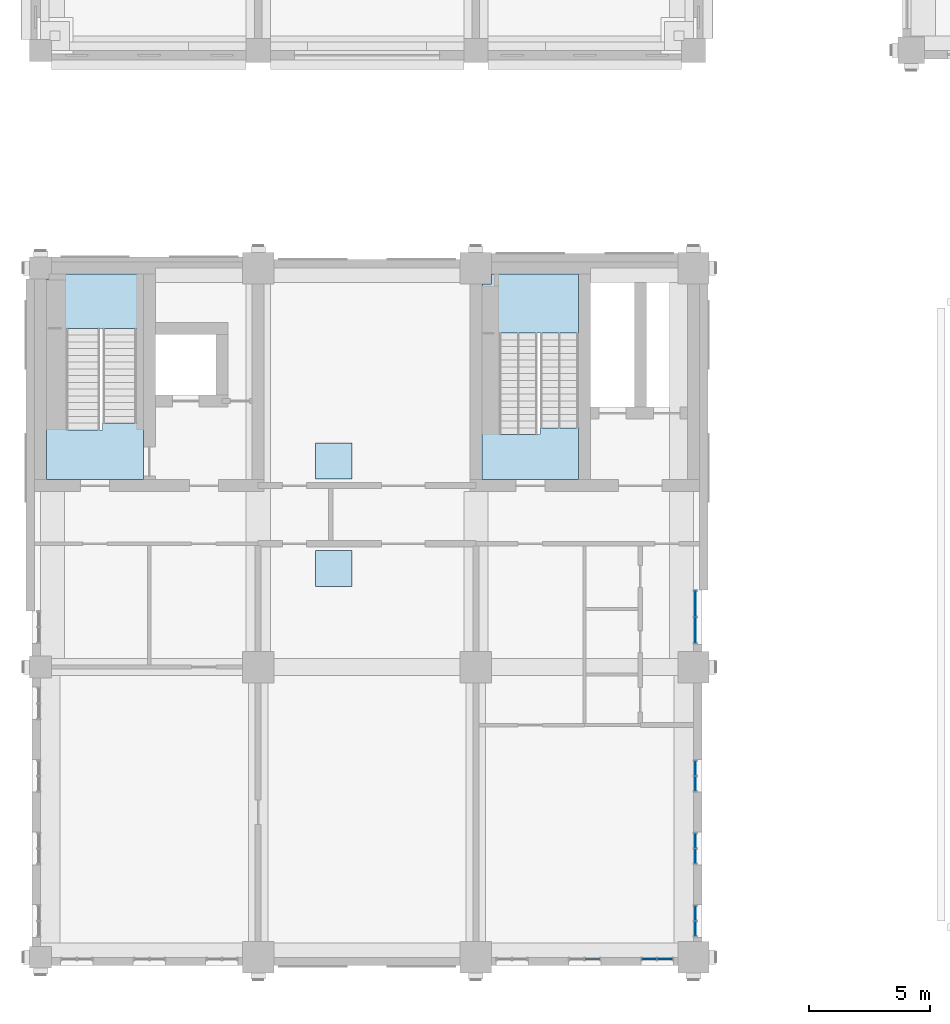
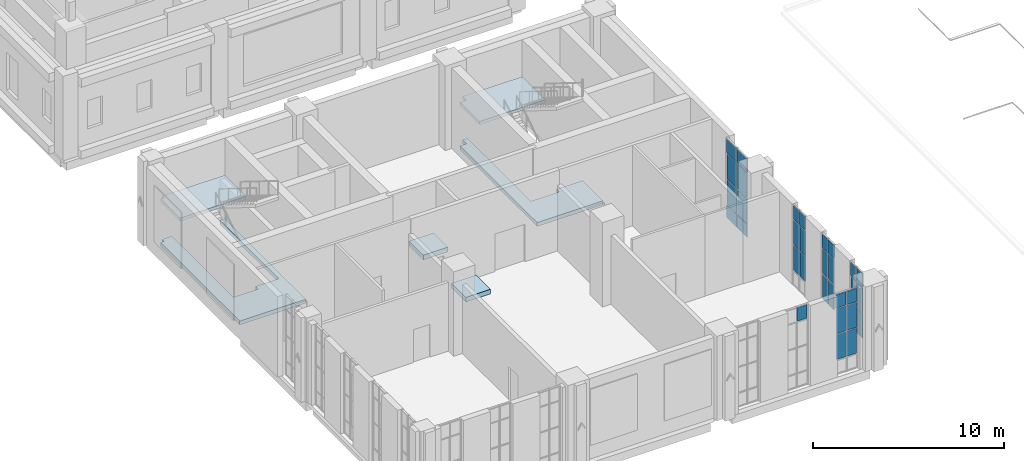
# One storey, part 13 of 37: 33 plates, 6 slabs, 8 elements without a shape of their own.
"""IFC4 building model written with IfcOpenShell, lengths in metres."""

from ifc_helpers import new_model, si_unit, direction, frame, origin, origin_2d, place, context, subcontext, project, spatial, polyline, rectangle, outline, extrude, material, layer, layer_set, type_object, element, aggregate, save


model = new_model("IFC4")

# Units and contexts
model_context = context("Model", 3, precision=1e-05, world=origin(), true_north=direction((0.0, 1.0)))
body_context = subcontext(model_context, "Body", "Model", "MODEL_VIEW")
ifc_project = project(units=[si_unit("LENGTHUNIT", "METRE"), si_unit("AREAUNIT", "SQUARE_METRE"), si_unit("VOLUMEUNIT", "CUBIC_METRE"), si_unit("PLANEANGLEUNIT", "RADIAN"), si_unit("MASSUNIT", "GRAM", prefix="KILO")], contexts=[model_context])

# Site, building, storey
site_placement = place(None, origin())
site = spatial("IfcSite", under=ifc_project, at=site_placement, CompositionType="ELEMENT")
building_placement = place(site_placement, origin())
building = spatial("IfcBuilding", under=site, at=building_placement, Name="Aurelan Courthouse", CompositionType="ELEMENT")
storey_placement = place(building_placement, frame((0.0, 0.0, 17.39990234375)))
storey = spatial("IfcBuildingStorey", under=building, at=storey_placement, Name="L03", CompositionType="ELEMENT", Elevation=17.39990234375)

# Curtain wall, plate
ifc_material_1 = material(Name="Bronze-finished aluminium and glass", Category="aluminium")
ifc_layer_1 = layer(ifc_material_1, 0.14990234375)
ifc_layer_set_1 = layer_set([ifc_layer_1], Name="Bronze-finished aluminium and glass")
curtain_wall_type_1 = type_object("IfcCurtainWallType", Name="Curtain wall 1350 x 5150", PredefinedType="NOTDEFINED", material=ifc_layer_set_1)
curtain_wall_1_placement = place(storey_placement, origin())
curtain_wall_1 = element("IfcCurtainWall", 1, at=curtain_wall_1_placement, inside=storey, type_object=curtain_wall_type_1, Name="Curtain wall CW-V5-L03-S05", PredefinedType="NOTDEFINED")
ifc_material_2 = material(Name="Limestone cladding", Category="masonry")
ifc_layer_2 = layer(ifc_material_2, 0.0400390625, Name="Facing")
ifc_material_3 = material(Name="Bronze sheet cladding", Category="bronze")
ifc_layer_3 = layer(ifc_material_3, 0.02001953125, Name="Back sheet")
ifc_layer_set_2 = layer_set([ifc_layer_2, ifc_layer_3], Name="Limestone cladding")
plate_type_1 = type_object("IfcPlateType", Name="Limestone spandrel panel with bronze back sheet 60", PredefinedType="CURTAIN_PANEL", material=ifc_layer_set_2)
plate_1_placement = place(storey_placement, frame((22.822509765625, -0.074951171875, 4.22998046875), z_axis=(0.0, 0.0, 1.0), x_axis=(1.0, 0.0, 0.0)))
plate_1 = element("IfcPlate", 2, at=plate_1_placement, type_object=plate_type_1, Name="CW-V5-L03-S05 spandrel panel 2.4", PredefinedType="CURTAIN_PANEL", context=body_context, shape_type="SweptSolid", body=[
    extrude(rectangle(XDim=0.5849609375, YDim=0.06005859375, at=origin_2d()), origin(), (0.0, 0.0, 1.0), 0.860107421875),
])
aggregate(curtain_wall_1, [plate_1])

# Curtain wall, plates
curtain_wall_2_placement = place(storey_placement, origin())
curtain_wall_2 = element("IfcCurtainWall", 3, at=curtain_wall_2_placement, inside=storey, type_object=curtain_wall_type_1, Name="Curtain wall CW-V5-L03-S06", PredefinedType="NOTDEFINED")
plate_2_placement = place(storey_placement, frame((25.177490234375, -0.074951171875, 4.22998046875), z_axis=(0.0, 0.0, 1.0), x_axis=(1.0, 0.0, 0.0)))
plate_2 = element("IfcPlate", 4, at=plate_2_placement, type_object=plate_type_1, Name="CW-V5-L03-S06 spandrel panel 1.4", PredefinedType="CURTAIN_PANEL", context=body_context, shape_type="SweptSolid", body=[
    extrude(rectangle(XDim=0.5849609375, YDim=0.06005859375, at=origin_2d()), origin(), (0.0, 0.0, 1.0), 0.860107421875),
])
plate_3_placement = place(storey_placement, frame((25.822509765625, -0.074951171875, 4.22998046875), z_axis=(0.0, 0.0, 1.0), x_axis=(1.0, 0.0, 0.0)))
plate_3 = element("IfcPlate", 5, at=plate_3_placement, type_object=plate_type_1, Name="CW-V5-L03-S06 spandrel panel 2.4", PredefinedType="CURTAIN_PANEL", context=body_context, shape_type="SweptSolid", body=[
    extrude(rectangle(XDim=0.5849609375, YDim=0.06005859375, at=origin_2d()), origin(), (0.0, 0.0, 1.0), 0.860107421875),
])

curtain_wall_3_placement = place(storey_placement, origin())
curtain_wall_3 = element("IfcCurtainWall", 6, at=curtain_wall_3_placement, inside=storey, type_object=curtain_wall_type_1, Name="Curtain wall CW-V5-L03-E01", PredefinedType="NOTDEFINED")
plate_4_placement = place(storey_placement, frame((27.074951171875, 1.177490234375, 4.22998046875), z_axis=(0.0, 0.0, 1.0), x_axis=(0.0, 1.0, 0.0)))
plate_4 = element("IfcPlate", 7, at=plate_4_placement, type_object=plate_type_1, Name="CW-V5-L03-E01 spandrel panel 1.4", PredefinedType="CURTAIN_PANEL", context=body_context, shape_type="SweptSolid", body=[
    extrude(rectangle(XDim=0.5849609375, YDim=0.06005859375, at=origin_2d()), origin(), (0.0, 0.0, 1.0), 0.860107421875),
])
plate_5_placement = place(storey_placement, frame((27.074951171875, 1.822509765625, 4.22998046875), z_axis=(0.0, 0.0, 1.0), x_axis=(0.0, 1.0, 0.0)))
plate_5 = element("IfcPlate", 8, at=plate_5_placement, type_object=plate_type_1, Name="CW-V5-L03-E01 spandrel panel 2.4", PredefinedType="CURTAIN_PANEL", context=body_context, shape_type="SweptSolid", body=[
    extrude(rectangle(XDim=0.5849609375, YDim=0.06005859375, at=origin_2d()), origin(), (0.0, 0.0, 1.0), 0.860107421875),
])

curtain_wall_4_placement = place(storey_placement, origin())
curtain_wall_4 = element("IfcCurtainWall", 9, at=curtain_wall_4_placement, inside=storey, type_object=curtain_wall_type_1, Name="Curtain wall CW-V5-L03-E02", PredefinedType="NOTDEFINED")
plate_6_placement = place(storey_placement, frame((27.074951171875, 4.177490234375, 4.22998046875), z_axis=(0.0, 0.0, 1.0), x_axis=(0.0, 1.0, 0.0)))
plate_6 = element("IfcPlate", 10, at=plate_6_placement, type_object=plate_type_1, Name="CW-V5-L03-E02 spandrel panel 1.4", PredefinedType="CURTAIN_PANEL", context=body_context, shape_type="SweptSolid", body=[
    extrude(rectangle(XDim=0.5849609375, YDim=0.06005859375, at=origin_2d()), origin(), (0.0, 0.0, 1.0), 0.860107421875),
])
plate_7_placement = place(storey_placement, frame((27.074951171875, 4.822509765625, 4.22998046875), z_axis=(0.0, 0.0, 1.0), x_axis=(0.0, 1.0, 0.0)))
plate_7 = element("IfcPlate", 11, at=plate_7_placement, type_object=plate_type_1, Name="CW-V5-L03-E02 spandrel panel 2.4", PredefinedType="CURTAIN_PANEL", context=body_context, shape_type="SweptSolid", body=[
    extrude(rectangle(XDim=0.5849609375, YDim=0.06005859375, at=origin_2d()), origin(), (0.0, 0.0, 1.0), 0.860107421875),
])

curtain_wall_5_placement = place(storey_placement, origin())
curtain_wall_5 = element("IfcCurtainWall", 12, at=curtain_wall_5_placement, inside=storey, type_object=curtain_wall_type_1, Name="Curtain wall CW-V5-L03-E03", PredefinedType="NOTDEFINED")
plate_8_placement = place(storey_placement, frame((27.074951171875, 7.177490234375, 4.22998046875), z_axis=(0.0, 0.0, 1.0), x_axis=(0.0, 1.0, 0.0)))
plate_8 = element("IfcPlate", 13, at=plate_8_placement, type_object=plate_type_1, Name="CW-V5-L03-E03 spandrel panel 1.4", PredefinedType="CURTAIN_PANEL", context=body_context, shape_type="SweptSolid", body=[
    extrude(rectangle(XDim=0.5849609375, YDim=0.06005859375, at=origin_2d()), origin(), (0.0, 0.0, 1.0), 0.860107421875),
])
plate_9_placement = place(storey_placement, frame((27.074951171875, 7.822509765625, 4.22998046875), z_axis=(0.0, 0.0, 1.0), x_axis=(0.0, 1.0, 0.0)))
plate_9 = element("IfcPlate", 14, at=plate_9_placement, type_object=plate_type_1, Name="CW-V5-L03-E03 spandrel panel 2.4", PredefinedType="CURTAIN_PANEL", context=body_context, shape_type="SweptSolid", body=[
    extrude(rectangle(XDim=0.5849609375, YDim=0.06005859375, at=origin_2d()), origin(), (0.0, 0.0, 1.0), 0.860107421875),
])

ifc_layer_4 = layer(ifc_material_1, 0.14990234375)
ifc_layer_set_3 = layer_set([ifc_layer_4], Name="Bronze-finished aluminium and glass")
curtain_wall_type_2 = type_object("IfcCurtainWallType", Name="Curtain wall 2250 x 5150", PredefinedType="NOTDEFINED", material=ifc_layer_set_3)
curtain_wall_6_placement = place(storey_placement, origin())
curtain_wall_6 = element("IfcCurtainWall", 15, at=curtain_wall_6_placement, inside=storey, type_object=curtain_wall_type_2, Name="Curtain wall CW-V5-L03-E04", PredefinedType="NOTDEFINED")
plate_10_placement = place(storey_placement, frame((27.074951171875, 13.514892578125, 4.22998046875), z_axis=(0.0, 0.0, 1.0), x_axis=(0.0, 1.0, 0.0)))
plate_10 = element("IfcPlate", 16, at=plate_10_placement, type_object=plate_type_1, Name="CW-V5-L03-E04 spandrel panel 1.4", PredefinedType="CURTAIN_PANEL", context=body_context, shape_type="SweptSolid", body=[
    extrude(rectangle(XDim=1.034912109375, YDim=0.06005859375, at=origin_2d()), origin(), (0.0, 0.0, 1.0), 0.860107421875),
])
plate_11_placement = place(storey_placement, frame((27.074951171875, 14.610107421875, 4.22998046875), z_axis=(0.0, 0.0, 1.0), x_axis=(0.0, 1.0, 0.0)))
plate_11 = element("IfcPlate", 17, at=plate_11_placement, type_object=plate_type_1, Name="CW-V5-L03-E04 spandrel panel 2.4", PredefinedType="CURTAIN_PANEL", context=body_context, shape_type="SweptSolid", body=[
    extrude(rectangle(XDim=1.034912109375, YDim=0.06005859375, at=origin_2d()), origin(), (0.0, 0.0, 1.0), 0.860107421875),
])
ifc_material_4 = material(Name="Bronze-finished aluminium", Category="aluminium")
ifc_layer_5 = layer(ifc_material_4, 0.0400390625)
ifc_layer_set_4 = layer_set([ifc_layer_5], Name="Bronze-finished aluminium")
plate_type_2 = type_object("IfcPlateType", Name="Sill panel 40", PredefinedType="CURTAIN_PANEL", material=ifc_layer_set_4)
plate_12_placement = place(storey_placement, frame((27.074951171875, 13.514892578125, 0.06005859375), z_axis=(0.0, 0.0, 1.0), x_axis=(0.0, 1.0, 0.0)))
plate_12 = element("IfcPlate", 18, at=plate_12_placement, type_object=plate_type_2, Name="CW-V5-L03-E04 sill panel 1.1", PredefinedType="CURTAIN_PANEL", context=body_context, shape_type="SweptSolid", body=[
    extrude(rectangle(XDim=1.034912109375, YDim=0.0400390625, at=origin_2d()), origin(), (0.0, 0.0, 1.0), 0.81005859375),
])
plate_13_placement = place(storey_placement, frame((27.074951171875, 14.610107421875, 0.06005859375), z_axis=(0.0, 0.0, 1.0), x_axis=(0.0, 1.0, 0.0)))
plate_13 = element("IfcPlate", 19, at=plate_13_placement, type_object=plate_type_2, Name="CW-V5-L03-E04 sill panel 2.1", PredefinedType="CURTAIN_PANEL", context=body_context, shape_type="SweptSolid", body=[
    extrude(rectangle(XDim=1.034912109375, YDim=0.0400390625, at=origin_2d()), origin(), (0.0, 0.0, 1.0), 0.81005859375),
])

# Stair, slab
ifc_material_5 = material(Name="Concrete C30", Category="concrete")
stair_type_1 = type_object("IfcStairType", Name="Half-turn stair 1600 wide 31 risers", PredefinedType="HALF_TURN_STAIR", material=ifc_material_5)
stair_1_placement = place(storey_placement, origin())
stair_1 = element("IfcStair", 20, at=stair_1_placement, inside=storey, type_object=stair_type_1, Name="Stair ST-5A-L03", PredefinedType="HALF_TURN_STAIR")
ifc_layer_6 = layer(ifc_material_5, 0.25)
ifc_layer_set_5 = layer_set([ifc_layer_6], Name="Concrete C30")
slab_type_1 = type_object("IfcSlabType", Name="Stair floor landing 250 thick", PredefinedType="LANDING", material=ifc_layer_set_5)
slab_1_placement = place(storey_placement, frame((0.0, 0.0, -0.25)))
slab_1 = element("IfcSlab", 21, at=slab_1_placement, type_object=slab_type_1, Name="Stair ST-5A-L03 floor landing", PredefinedType="LANDING", context=body_context, shape_type="SweptSolid", body=[
    extrude(outline(polyline([(18.949951171875, 21.611083984375), (20.64990234375, 21.611083984375), (20.64990234375, 21.89111328125), (22.25, 21.89111328125), (22.25, 21.611083984375), (22.25, 21.60888671875), (22.25, 19.75), (18.25, 19.75), (18.25, 27.85009765625), (18.64990234375, 27.85009765625), (18.64990234375, 28.25), (18.949951171875, 28.25), (18.949951171875, 21.611083984375)])), origin(), (0.0, 0.0, 1.0), 0.25),
])

stair_type_2 = type_object("IfcStairType", Name="Half-turn stair 1400 wide 31 risers", PredefinedType="HALF_TURN_STAIR", material=ifc_material_5)
stair_2_placement = place(storey_placement, origin())
stair_2 = element("IfcStair", 22, at=stair_2_placement, inside=storey, type_object=stair_type_2, Name="Stair ST-5B-L03", PredefinedType="HALF_TURN_STAIR")
slab_2_placement = place(storey_placement, frame((0.0, 0.0, -0.25)))
slab_2 = element("IfcSlab", 23, at=slab_2_placement, type_object=slab_type_1, Name="Stair ST-5B-L03 floor landing", PredefinedType="LANDING", context=body_context, shape_type="SweptSolid", body=[
    extrude(outline(polyline([(1.06005859375, 28.25), (1.06005859375, 21.81103515625), (2.56005859375, 21.81103515625), (2.56005859375, 22.091064453125), (3.9599609375, 22.091064453125), (3.9599609375, 28.25), (4.25, 28.25), (4.25, 19.75), (0.409912109375, 19.75), (0.39990234375, 19.75), (0.25, 19.75), (0.25, 28.050048828125), (0.449951171875, 28.050048828125), (0.449951171875, 28.25), (1.06005859375, 28.25)])), origin(), (0.0, 0.0, 1.0), 0.25),
])

# Slab
ifc_layer_7 = layer(ifc_material_5, 0.199951171875)
ifc_layer_set_6 = layer_set([ifc_layer_7], Name="Concrete C30")
slab_type_2 = type_object("IfcSlabType", Name="Stair half landing 200 thick", PredefinedType="LANDING", material=ifc_layer_set_6)
slab_3_placement = place(storey_placement, frame((0.0, 0.0, 2.587158203125)))
slab_3 = element("IfcSlab", 24, at=slab_3_placement, type_object=slab_type_2, Name="Stair ST-5A-L03 half landing", PredefinedType="LANDING", context=body_context, shape_type="SweptSolid", body=[
    extrude(outline(polyline([(18.25, 27.85009765625), (18.64990234375, 27.85009765625), (18.64990234375, 28.25), (22.25, 28.25), (22.25, 25.81005859375), (18.25, 25.81005859375), (18.25, 27.85009765625)])), origin(), (0.0, 0.0, 1.0), 0.199951171875),
])

aggregate(stair_1, [slab_3, slab_1])

slab_4_placement = place(storey_placement, frame((0.0, 0.0, 2.587158203125)))
slab_4 = element("IfcSlab", 25, at=slab_4_placement, type_object=slab_type_2, Name="Stair ST-5B-L03 half landing", PredefinedType="LANDING", context=body_context, shape_type="SweptSolid", body=[
    extrude(outline(polyline([(4.25, 28.25), (4.25, 26.010009765625), (0.25, 26.010009765625), (0.25, 28.050048828125), (0.449951171875, 28.050048828125), (0.449951171875, 28.25), (4.25, 28.25)])), origin(), (0.0, 0.0, 1.0), 0.199951171875),
])

aggregate(stair_2, [slab_4, slab_2])

# Plate
ifc_material_6 = material(Name="Laminated low-emissivity glass", Category="glass")
ifc_layer_8 = layer(ifc_material_6, 0.028076171875)
ifc_layer_set_7 = layer_set([ifc_layer_8], Name="Laminated low-emissivity glass")
plate_type_3 = type_object("IfcPlateType", Name="Vision glass panel 28", PredefinedType="CURTAIN_PANEL", material=ifc_layer_set_7)
plate_14_placement = place(storey_placement, frame((25.177490234375, -0.074951171875, 0.93017578125), z_axis=(0.0, 0.0, 1.0), x_axis=(1.0, 0.0, 0.0)))
plate_14 = element("IfcPlate", 26, at=plate_14_placement, type_object=plate_type_3, Name="CW-V5-L03-S06 vision panel 1.2", PredefinedType="CURTAIN_PANEL", context=body_context, shape_type="SweptSolid", body=[
    extrude(rectangle(XDim=0.5849609375, YDim=0.028076171875, at=origin_2d()), origin(), (0.0, 0.0, 1.0), 1.590087890625),
])

plate_15_placement = place(storey_placement, frame((25.177490234375, -0.074951171875, 2.580078125), z_axis=(0.0, 0.0, 1.0), x_axis=(1.0, 0.0, 0.0)))
plate_15 = element("IfcPlate", 27, at=plate_15_placement, type_object=plate_type_3, Name="CW-V5-L03-S06 vision panel 1.3", PredefinedType="CURTAIN_PANEL", context=body_context, shape_type="SweptSolid", body=[
    extrude(rectangle(XDim=0.5849609375, YDim=0.028076171875, at=origin_2d()), origin(), (0.0, 0.0, 1.0), 1.590087890625),
])

plate_16_placement = place(storey_placement, frame((25.822509765625, -0.074951171875, 0.93017578125), z_axis=(0.0, 0.0, 1.0), x_axis=(1.0, 0.0, 0.0)))
plate_16 = element("IfcPlate", 28, at=plate_16_placement, type_object=plate_type_3, Name="CW-V5-L03-S06 vision panel 2.2", PredefinedType="CURTAIN_PANEL", context=body_context, shape_type="SweptSolid", body=[
    extrude(rectangle(XDim=0.5849609375, YDim=0.028076171875, at=origin_2d()), origin(), (0.0, 0.0, 1.0), 1.590087890625),
])

plate_17_placement = place(storey_placement, frame((25.822509765625, -0.074951171875, 2.580078125), z_axis=(0.0, 0.0, 1.0), x_axis=(1.0, 0.0, 0.0)))
plate_17 = element("IfcPlate", 29, at=plate_17_placement, type_object=plate_type_3, Name="CW-V5-L03-S06 vision panel 2.3", PredefinedType="CURTAIN_PANEL", context=body_context, shape_type="SweptSolid", body=[
    extrude(rectangle(XDim=0.5849609375, YDim=0.028076171875, at=origin_2d()), origin(), (0.0, 0.0, 1.0), 1.590087890625),
])

aggregate(curtain_wall_2, [plate_14, plate_15, plate_2, plate_16, plate_17, plate_3])

plate_18_placement = place(storey_placement, frame((27.074951171875, 1.177490234375, 0.93017578125), z_axis=(0.0, 0.0, 1.0), x_axis=(0.0, 1.0, 0.0)))
plate_18 = element("IfcPlate", 30, at=plate_18_placement, type_object=plate_type_3, Name="CW-V5-L03-E01 vision panel 1.2", PredefinedType="CURTAIN_PANEL", context=body_context, shape_type="SweptSolid", body=[
    extrude(rectangle(XDim=0.5849609375, YDim=0.028076171875, at=origin_2d()), origin(), (0.0, 0.0, 1.0), 1.590087890625),
])

plate_19_placement = place(storey_placement, frame((27.074951171875, 1.177490234375, 2.580078125), z_axis=(0.0, 0.0, 1.0), x_axis=(0.0, 1.0, 0.0)))
plate_19 = element("IfcPlate", 31, at=plate_19_placement, type_object=plate_type_3, Name="CW-V5-L03-E01 vision panel 1.3", PredefinedType="CURTAIN_PANEL", context=body_context, shape_type="SweptSolid", body=[
    extrude(rectangle(XDim=0.5849609375, YDim=0.028076171875, at=origin_2d()), origin(), (0.0, 0.0, 1.0), 1.590087890625),
])

plate_20_placement = place(storey_placement, frame((27.074951171875, 1.822509765625, 0.93017578125), z_axis=(0.0, 0.0, 1.0), x_axis=(0.0, 1.0, 0.0)))
plate_20 = element("IfcPlate", 32, at=plate_20_placement, type_object=plate_type_3, Name="CW-V5-L03-E01 vision panel 2.2", PredefinedType="CURTAIN_PANEL", context=body_context, shape_type="SweptSolid", body=[
    extrude(rectangle(XDim=0.5849609375, YDim=0.028076171875, at=origin_2d()), origin(), (0.0, 0.0, 1.0), 1.590087890625),
])

plate_21_placement = place(storey_placement, frame((27.074951171875, 1.822509765625, 2.580078125), z_axis=(0.0, 0.0, 1.0), x_axis=(0.0, 1.0, 0.0)))
plate_21 = element("IfcPlate", 33, at=plate_21_placement, type_object=plate_type_3, Name="CW-V5-L03-E01 vision panel 2.3", PredefinedType="CURTAIN_PANEL", context=body_context, shape_type="SweptSolid", body=[
    extrude(rectangle(XDim=0.5849609375, YDim=0.028076171875, at=origin_2d()), origin(), (0.0, 0.0, 1.0), 1.590087890625),
])

aggregate(curtain_wall_3, [plate_18, plate_19, plate_4, plate_20, plate_21, plate_5])

plate_22_placement = place(storey_placement, frame((27.074951171875, 4.177490234375, 0.93017578125), z_axis=(0.0, 0.0, 1.0), x_axis=(0.0, 1.0, 0.0)))
plate_22 = element("IfcPlate", 34, at=plate_22_placement, type_object=plate_type_3, Name="CW-V5-L03-E02 vision panel 1.2", PredefinedType="CURTAIN_PANEL", context=body_context, shape_type="SweptSolid", body=[
    extrude(rectangle(XDim=0.5849609375, YDim=0.028076171875, at=origin_2d()), origin(), (0.0, 0.0, 1.0), 1.590087890625),
])

plate_23_placement = place(storey_placement, frame((27.074951171875, 4.177490234375, 2.580078125), z_axis=(0.0, 0.0, 1.0), x_axis=(0.0, 1.0, 0.0)))
plate_23 = element("IfcPlate", 35, at=plate_23_placement, type_object=plate_type_3, Name="CW-V5-L03-E02 vision panel 1.3", PredefinedType="CURTAIN_PANEL", context=body_context, shape_type="SweptSolid", body=[
    extrude(rectangle(XDim=0.5849609375, YDim=0.028076171875, at=origin_2d()), origin(), (0.0, 0.0, 1.0), 1.590087890625),
])

plate_24_placement = place(storey_placement, frame((27.074951171875, 4.822509765625, 0.93017578125), z_axis=(0.0, 0.0, 1.0), x_axis=(0.0, 1.0, 0.0)))
plate_24 = element("IfcPlate", 36, at=plate_24_placement, type_object=plate_type_3, Name="CW-V5-L03-E02 vision panel 2.2", PredefinedType="CURTAIN_PANEL", context=body_context, shape_type="SweptSolid", body=[
    extrude(rectangle(XDim=0.5849609375, YDim=0.028076171875, at=origin_2d()), origin(), (0.0, 0.0, 1.0), 1.590087890625),
])

plate_25_placement = place(storey_placement, frame((27.074951171875, 4.822509765625, 2.580078125), z_axis=(0.0, 0.0, 1.0), x_axis=(0.0, 1.0, 0.0)))
plate_25 = element("IfcPlate", 37, at=plate_25_placement, type_object=plate_type_3, Name="CW-V5-L03-E02 vision panel 2.3", PredefinedType="CURTAIN_PANEL", context=body_context, shape_type="SweptSolid", body=[
    extrude(rectangle(XDim=0.5849609375, YDim=0.028076171875, at=origin_2d()), origin(), (0.0, 0.0, 1.0), 1.590087890625),
])

aggregate(curtain_wall_4, [plate_22, plate_23, plate_6, plate_24, plate_25, plate_7])

plate_26_placement = place(storey_placement, frame((27.074951171875, 7.177490234375, 0.93017578125), z_axis=(0.0, 0.0, 1.0), x_axis=(0.0, 1.0, 0.0)))
plate_26 = element("IfcPlate", 38, at=plate_26_placement, type_object=plate_type_3, Name="CW-V5-L03-E03 vision panel 1.2", PredefinedType="CURTAIN_PANEL", context=body_context, shape_type="SweptSolid", body=[
    extrude(rectangle(XDim=0.5849609375, YDim=0.028076171875, at=origin_2d()), origin(), (0.0, 0.0, 1.0), 1.590087890625),
])

plate_27_placement = place(storey_placement, frame((27.074951171875, 7.177490234375, 2.580078125), z_axis=(0.0, 0.0, 1.0), x_axis=(0.0, 1.0, 0.0)))
plate_27 = element("IfcPlate", 39, at=plate_27_placement, type_object=plate_type_3, Name="CW-V5-L03-E03 vision panel 1.3", PredefinedType="CURTAIN_PANEL", context=body_context, shape_type="SweptSolid", body=[
    extrude(rectangle(XDim=0.5849609375, YDim=0.028076171875, at=origin_2d()), origin(), (0.0, 0.0, 1.0), 1.590087890625),
])

plate_28_placement = place(storey_placement, frame((27.074951171875, 7.822509765625, 0.93017578125), z_axis=(0.0, 0.0, 1.0), x_axis=(0.0, 1.0, 0.0)))
plate_28 = element("IfcPlate", 40, at=plate_28_placement, type_object=plate_type_3, Name="CW-V5-L03-E03 vision panel 2.2", PredefinedType="CURTAIN_PANEL", context=body_context, shape_type="SweptSolid", body=[
    extrude(rectangle(XDim=0.5849609375, YDim=0.028076171875, at=origin_2d()), origin(), (0.0, 0.0, 1.0), 1.590087890625),
])

plate_29_placement = place(storey_placement, frame((27.074951171875, 7.822509765625, 2.580078125), z_axis=(0.0, 0.0, 1.0), x_axis=(0.0, 1.0, 0.0)))
plate_29 = element("IfcPlate", 41, at=plate_29_placement, type_object=plate_type_3, Name="CW-V5-L03-E03 vision panel 2.3", PredefinedType="CURTAIN_PANEL", context=body_context, shape_type="SweptSolid", body=[
    extrude(rectangle(XDim=0.5849609375, YDim=0.028076171875, at=origin_2d()), origin(), (0.0, 0.0, 1.0), 1.590087890625),
])

aggregate(curtain_wall_5, [plate_26, plate_27, plate_8, plate_28, plate_29, plate_9])

plate_30_placement = place(storey_placement, frame((27.074951171875, 13.514892578125, 0.93017578125), z_axis=(0.0, 0.0, 1.0), x_axis=(0.0, 1.0, 0.0)))
plate_30 = element("IfcPlate", 42, at=plate_30_placement, type_object=plate_type_3, Name="CW-V5-L03-E04 vision panel 1.2", PredefinedType="CURTAIN_PANEL", context=body_context, shape_type="SweptSolid", body=[
    extrude(rectangle(XDim=1.034912109375, YDim=0.028076171875, at=origin_2d()), origin(), (0.0, 0.0, 1.0), 1.590087890625),
])

plate_31_placement = place(storey_placement, frame((27.074951171875, 13.514892578125, 2.580078125), z_axis=(0.0, 0.0, 1.0), x_axis=(0.0, 1.0, 0.0)))
plate_31 = element("IfcPlate", 43, at=plate_31_placement, type_object=plate_type_3, Name="CW-V5-L03-E04 vision panel 1.3", PredefinedType="CURTAIN_PANEL", context=body_context, shape_type="SweptSolid", body=[
    extrude(rectangle(XDim=1.034912109375, YDim=0.028076171875, at=origin_2d()), origin(), (0.0, 0.0, 1.0), 1.590087890625),
])

plate_32_placement = place(storey_placement, frame((27.074951171875, 14.610107421875, 0.93017578125), z_axis=(0.0, 0.0, 1.0), x_axis=(0.0, 1.0, 0.0)))
plate_32 = element("IfcPlate", 44, at=plate_32_placement, type_object=plate_type_3, Name="CW-V5-L03-E04 vision panel 2.2", PredefinedType="CURTAIN_PANEL", context=body_context, shape_type="SweptSolid", body=[
    extrude(rectangle(XDim=1.034912109375, YDim=0.028076171875, at=origin_2d()), origin(), (0.0, 0.0, 1.0), 1.590087890625),
])

plate_33_placement = place(storey_placement, frame((27.074951171875, 14.610107421875, 2.580078125), z_axis=(0.0, 0.0, 1.0), x_axis=(0.0, 1.0, 0.0)))
plate_33 = element("IfcPlate", 45, at=plate_33_placement, type_object=plate_type_3, Name="CW-V5-L03-E04 vision panel 2.3", PredefinedType="CURTAIN_PANEL", context=body_context, shape_type="SweptSolid", body=[
    extrude(rectangle(XDim=1.034912109375, YDim=0.028076171875, at=origin_2d()), origin(), (0.0, 0.0, 1.0), 1.590087890625),
])

aggregate(curtain_wall_6, [plate_12, plate_30, plate_31, plate_10, plate_13, plate_32, plate_33, plate_11])

# Slabs
ifc_layer_9 = layer(ifc_material_5, 0.300048828125)
ifc_layer_set_8 = layer_set([ifc_layer_9], Name="Concrete C30")
slab_type_3 = type_object("IfcSlabType", Name="Witness dais 300", PredefinedType="FLOOR", material=ifc_layer_set_8)
slab_5_placement = place(storey_placement, origin())
element("IfcSlab", 46, at=slab_5_placement, inside=storey, type_object=slab_type_3, Name="Witness dais Civil Courtroom 5.03.01", PredefinedType="FLOOR", context=body_context, shape_type="SweptSolid", body=[
    extrude(outline(polyline([(11.375, 15.324951171875), (12.875, 15.324951171875), (12.875, 16.824951171875), (11.375, 16.824951171875), (11.375, 15.324951171875)])), origin(), (0.0, 0.0, 1.0), 0.300048828125),
])
slab_6_placement = place(storey_placement, origin())
element("IfcSlab", 47, at=slab_6_placement, inside=storey, type_object=slab_type_3, Name="Witness dais Small Claims Courtroom 5.03.01", PredefinedType="FLOOR", context=body_context, shape_type="SweptSolid", body=[
    extrude(outline(polyline([(11.375, 19.77490234375), (12.875, 19.77490234375), (12.875, 21.27490234375), (11.375, 21.27490234375), (11.375, 19.77490234375)])), origin(), (0.0, 0.0, 1.0), 0.300048828125),
])

save(model, "model.ifc")
